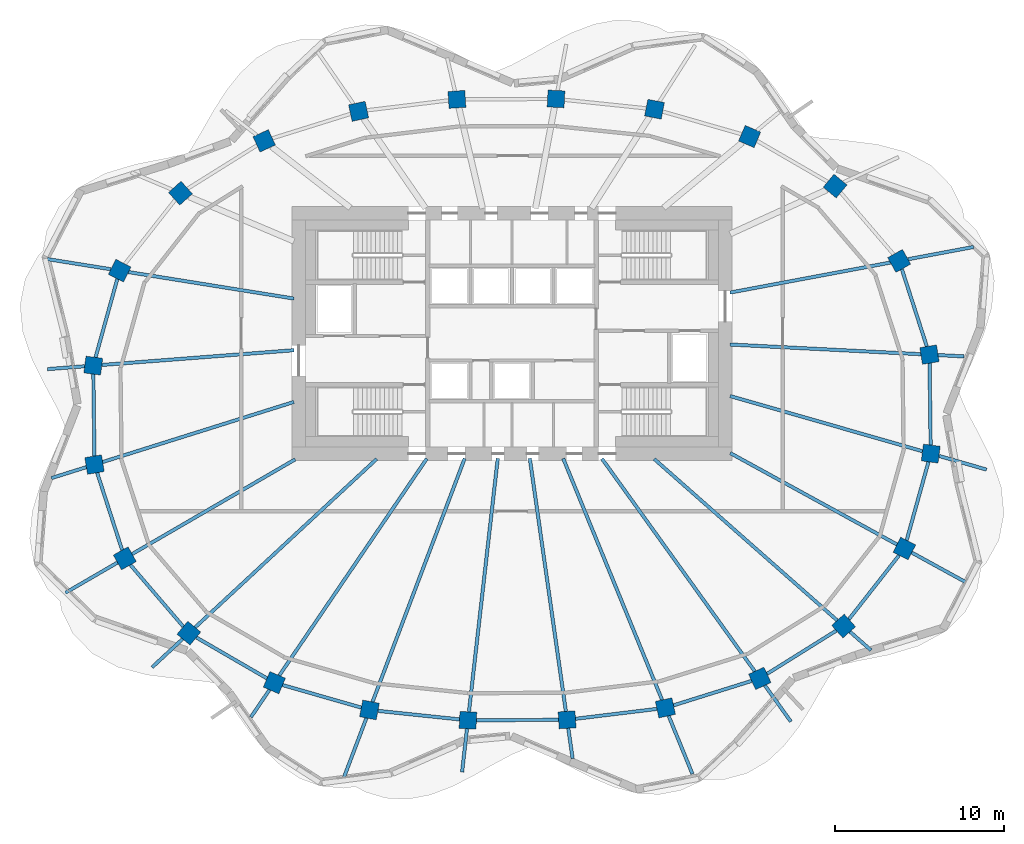
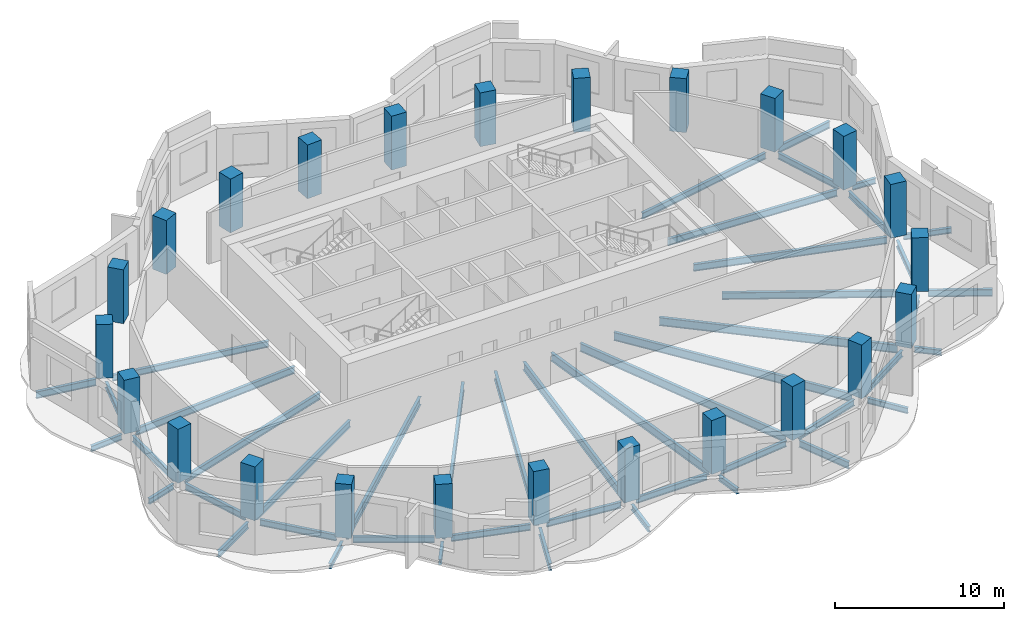
# One storey, part 1 of 8: 47 beams, 24 columns.
"""IFC4 building model written with IfcOpenShell, lengths in metres."""

from ifc_helpers import new_model, si_unit, direction, frame, origin, origin_2d, place, context, subcontext, project, spatial, rectangle, i_section, extrude, material, material_profile, profile_set, type_object, element, save


model = new_model("IFC4")

# Units and contexts
model_context = context("Model", 3, precision=1e-05, world=origin(), true_north=direction((0.0, 1.0)))
body_context = subcontext(model_context, "Body", "Model", "MODEL_VIEW")
ifc_project = project(units=[si_unit("LENGTHUNIT", "METRE"), si_unit("AREAUNIT", "SQUARE_METRE"), si_unit("VOLUMEUNIT", "CUBIC_METRE"), si_unit("PLANEANGLEUNIT", "RADIAN"), si_unit("MASSUNIT", "GRAM", prefix="KILO")], contexts=[model_context])

# Site, building, storey
site_placement = place(None, origin())
site = spatial("IfcSite", under=ifc_project, at=site_placement, CompositionType="ELEMENT")
building_placement = place(site_placement, origin())
building = spatial("IfcBuilding", under=site, at=building_placement, Name="Rubra Terraces Tower", CompositionType="ELEMENT")
storey_placement = place(building_placement, frame((0.0, 0.0, 240.89990234375)))
storey = spatial("IfcBuildingStorey", under=building, at=storey_placement, Name="L59", CompositionType="ELEMENT", Elevation=240.89990234375)

# Columns
ifc_material_1 = material(Name="Concrete C50", Category="concrete")
ifc_material_profile_1 = material_profile(ifc_material_1, rectangle(XDim=1.0, YDim=1.0, at=origin_2d()), Name="RC 1000x1000")
ifc_profile_set_1 = profile_set([ifc_material_profile_1], Name="Concrete C50")
column_type = type_object("IfcColumnType", Name="RING COLUMN RC 1000x1000 C50", PredefinedType="COLUMN", material=ifc_profile_set_1)
for number, where, z_axis, x_axis, name in (
    (1, (24.6689453125, 3.248046875, 0.0), (0.0, 0.0, 1.0), (-0.161559167715, 0.986863027642, 0.0), "column-L59-ring-01"),
    (2, (22.87890625, 8.787109375, 0.0), (0.0, 0.0, 1.0), (-0.48852601316, 0.872549330678, 0.0), "column-L59-ring-02"),
    (3, (19.092041015625, 13.208984375, 0.0), (0.0, 0.0, 1.0), (-0.76886986222, 0.63940529789, 0.0), "column-L59-ring-03"),
    (4, (14.0419921875, 16.135986328125, 0.0), (0.0, 0.0, 1.0), (-0.920167856842, 0.391524092789, 0.0), "column-L59-ring-04"),
    (5, (8.422119140625, 17.7490234375, 0.0), (0.0, 0.0, 1.0), (-0.981654668733, 0.19066754143, 0.0), "column-L59-ring-05"),
    (6, (2.60205078125, 18.35791015625, 0.0), (0.0, 0.0, 1.0), (-0.998764256028, 0.049698700995, 0.0), "column-L59-ring-06"),
    (7, (-3.25390625, 18.330078125, 0.0), (0.0, 0.0, 1.0), (-0.998031548759, -0.062713855578, 0.0), "column-L59-ring-07"),
    (8, (-9.06298828125, 17.625, 0.0), (0.0, 0.0, 1.0), (-0.977652674797, -0.210226657352, 0.0), "column-L59-ring-08"),
    (9, (-14.64306640625, 15.881103515625, 0.0), (0.0, 0.0, 1.0), (-0.908778580451, -0.417278673927, 0.0), "column-L59-ring-09"),
    (10, (-19.593017578125, 12.7900390625, 0.0), (0.0, 0.0, 1.0), (-0.744021317198, -0.668155879683, 0.0), "column-L59-ring-10"),
    (11, (-23.18505859375, 8.2099609375, 0.0), (0.0, 0.0, 1.0), (-0.451027931402, -0.892509834733, 0.0), "column-L59-ring-11"),
    (12, (-24.742919921875, 2.59912109375, 0.0), (0.0, 0.0, 1.0), (-0.128443684554, -0.991716804283, 0.0), "column-L59-ring-12"),
    (13, (-24.6689453125, -3.248046875, 0.0), (0.0, 0.0, 1.0), (0.161559167715, -0.986863027642, 0.0), "column-L59-ring-13"),
    (14, (-22.87890625, -8.787109375, 0.0), (0.0, 0.0, 1.0), (0.48852601316, -0.872549330678, 0.0), "column-L59-ring-14"),
    (15, (-19.092041015625, -13.208984375, 0.0), (0.0, 0.0, 1.0), (0.76886986222, -0.63940529789, 0.0), "column-L59-ring-15"),
    (16, (-14.0419921875, -16.135986328125, 0.0), (0.0, 0.0, 1.0), (0.920167856842, -0.391524092789, 0.0), "column-L59-ring-16"),
    (17, (-8.422119140625, -17.7490234375, 0.0), (0.0, 0.0, 1.0), (0.981654668733, -0.19066754143, 0.0), "column-L59-ring-17"),
    (18, (-2.60205078125, -18.35791015625, 0.0), (0.0, 0.0, 1.0), (0.998764256028, -0.049698700995, 0.0), "column-L59-ring-18"),
    (19, (3.25390625, -18.330078125, 0.0), (0.0, 0.0, 1.0), (0.998031548759, 0.062713855578, 0.0), "column-L59-ring-19"),
    (20, (9.06298828125, -17.625, 0.0), (0.0, 0.0, 1.0), (0.977652674797, 0.210226657352, 0.0), "column-L59-ring-20"),
    (21, (14.64306640625, -15.881103515625, 0.0), (0.0, 0.0, 1.0), (0.908778580451, 0.417278673927, 0.0), "column-L59-ring-21"),
    (22, (19.593017578125, -12.7900390625, 0.0), (0.0, 0.0, 1.0), (0.744021317198, 0.668155879683, 0.0), "column-L59-ring-22"),
    (23, (23.18505859375, -8.2099609375, 0.0), (0.0, 0.0, 1.0), (0.451027931402, 0.892509834733, 0.0), "column-L59-ring-23"),
    (24, (24.742919921875, -2.59912109375, 0.0), (0.0, 0.0, 1.0), (0.128443684554, 0.991716804283, 0.0), "column-L59-ring-24"),
):
    element("IfcColumn", number, at=place(storey_placement, frame(where, z_axis=z_axis, x_axis=x_axis)), inside=storey, type_object=column_type, Name=name, PredefinedType="COLUMN", context=body_context, shape_type="SweptSolid", body=[
        extrude(rectangle(XDim=1.0, YDim=1.0, at=origin_2d()), origin(), (0.0, 0.0, 1.0), 3.900146484375),
    ])

# Beams
ifc_material_2 = material(Name="Steel Q355B", Category="steel")
ifc_material_profile_2 = material_profile(ifc_material_2, i_section(OverallWidth=0.199951171875, OverallDepth=0.39990234375, WebThickness=0.008056640625, FlangeThickness=0.012939453125, at=origin_2d()), Name="HN 400x200x8x13")
ifc_profile_set_2 = profile_set([ifc_material_profile_2], Name="Steel Q355B")
beam_type_1 = type_object("IfcBeamType", Name="CANTILEVER BEAM HN 400x200x8x13", PredefinedType="BEAM", material=ifc_profile_set_2)
beam_1_placement = place(storey_placement, frame((25.179931640625, 3.221923828125, -0.39990234375), z_axis=(0.998705379321, -0.050868116877, 0.0), x_axis=(0.050868116877, 0.998705379321, 0.0)))
element("IfcBeam", 25, at=beam_1_placement, inside=storey, type_object=beam_type_1, Name="beam-L59-cant-01", PredefinedType="BEAM", context=body_context, shape_type="SweptSolid", body=[
    extrude(i_section(OverallWidth=0.199951171875, OverallDepth=0.39990234375, WebThickness=0.008056640625, FlangeThickness=0.012939453125, at=origin_2d()), origin(), (0.0, 0.0, 1.0), 1.531005859375),
])
beam_2_placement = place(storey_placement, frame((-25.251953125, 2.56005859375, -0.39990234375), z_axis=(-0.997072655985, -0.076459915552, 0.0), x_axis=(0.076459915552, -0.997072655985, 0.0)))
element("IfcBeam", 26, at=beam_2_placement, inside=storey, type_object=beam_type_1, Name="beam-L59-cant-12", PredefinedType="BEAM", context=body_context, shape_type="SweptSolid", body=[
    extrude(i_section(OverallWidth=0.199951171875, OverallDepth=0.39990234375, WebThickness=0.008056640625, FlangeThickness=0.012939453125, at=origin_2d()), origin(), (0.0, 0.0, 1.0), 2.20947265625),
])
beam_3_placement = place(storey_placement, frame((-25.15087890625, -3.39892578125, -0.39990234375), z_axis=(-0.953976176962, -0.299882399933, 0.0), x_axis=(0.299882399933, -0.953976176962, 0.0)))
element("IfcBeam", 27, at=beam_3_placement, inside=storey, type_object=beam_type_1, Name="beam-L59-cant-13", PredefinedType="BEAM", context=body_context, shape_type="SweptSolid", body=[
    extrude(i_section(OverallWidth=0.199951171875, OverallDepth=0.39990234375, WebThickness=0.008056640625, FlangeThickness=0.012939453125, at=origin_2d()), origin(), (0.0, 0.0, 1.0), 2.161376953125),
])
beam_4_placement = place(storey_placement, frame((-19.4619140625, -13.552001953125, -0.39990234375), z_axis=(-0.733131141313, -0.6800872956, 0.0), x_axis=(0.6800872956, -0.733131141313, 0.0)))
element("IfcBeam", 28, at=beam_4_placement, inside=storey, type_object=beam_type_1, Name="beam-L59-cant-15", PredefinedType="BEAM", context=body_context, shape_type="SweptSolid", body=[
    extrude(i_section(OverallWidth=0.199951171875, OverallDepth=0.39990234375, WebThickness=0.008056640625, FlangeThickness=0.012939453125, at=origin_2d()), origin(), (0.0, 0.0, 1.0), 2.4716796875),
])
beam_5_placement = place(storey_placement, frame((-14.3291015625, -16.556884765625, -0.39990234375), z_axis=(-0.562330561229, -0.826912534618, 0.0), x_axis=(0.826912534618, -0.562330561229, 0.0)))
element("IfcBeam", 29, at=beam_5_placement, inside=storey, type_object=beam_type_1, Name="beam-L59-cant-16", PredefinedType="BEAM", context=body_context, shape_type="SweptSolid", body=[
    extrude(i_section(OverallWidth=0.199951171875, OverallDepth=0.39990234375, WebThickness=0.008056640625, FlangeThickness=0.012939453125, at=origin_2d()), origin(), (0.0, 0.0, 1.0), 1.95068359375),
])
beam_6_placement = place(storey_placement, frame((-2.658935546875, -18.85595703125, -0.39990234375), z_axis=(-0.11286294962, -0.993610564861, 0.0), x_axis=(0.993610564861, -0.11286294962, 0.0)))
element("IfcBeam", 30, at=beam_6_placement, inside=storey, type_object=beam_type_1, Name="beam-L59-cant-18", PredefinedType="BEAM", context=body_context, shape_type="SweptSolid", body=[
    extrude(i_section(OverallWidth=0.199951171875, OverallDepth=0.39990234375, WebThickness=0.008056640625, FlangeThickness=0.012939453125, at=origin_2d()), origin(), (0.0, 0.0, 1.0), 2.578369140625),
])
beam_7_placement = place(storey_placement, frame((3.324951171875, -18.826904296875, -0.39990234375), z_axis=(0.141308200987, -0.989965652098, 0.0), x_axis=(0.989965652098, 0.141308200987, 0.0)))
element("IfcBeam", 31, at=beam_7_placement, inside=storey, type_object=beam_type_1, Name="beam-L59-cant-19", PredefinedType="BEAM", context=body_context, shape_type="SweptSolid", body=[
    extrude(i_section(OverallWidth=0.199951171875, OverallDepth=0.39990234375, WebThickness=0.008056640625, FlangeThickness=0.012939453125, at=origin_2d()), origin(), (0.0, 0.0, 1.0), 1.812255859375),
])
beam_8_placement = place(storey_placement, frame((14.93994140625, -16.294921875, -0.39990234375), z_axis=(0.583708638616, -0.811963192026, 0.0), x_axis=(0.811963192026, 0.583708638616, 0.0)))
element("IfcBeam", 32, at=beam_8_placement, inside=storey, type_object=beam_type_1, Name="beam-L59-cant-21", PredefinedType="BEAM", context=body_context, shape_type="SweptSolid", body=[
    extrude(i_section(OverallWidth=0.199951171875, OverallDepth=0.39990234375, WebThickness=0.008056640625, FlangeThickness=0.012939453125, at=origin_2d()), origin(), (0.0, 0.0, 1.0), 2.63330078125),
])
beam_9_placement = place(storey_placement, frame((19.969970703125, -13.123046875, -0.39990234375), z_axis=(0.749803442834, -0.661660635911, 0.0), x_axis=(0.661660635911, 0.749803442834, 0.0)))
element("IfcBeam", 33, at=beam_9_placement, inside=storey, type_object=beam_type_1, Name="beam-L59-cant-22", PredefinedType="BEAM", context=body_context, shape_type="SweptSolid", body=[
    extrude(i_section(OverallWidth=0.199951171875, OverallDepth=0.39990234375, WebThickness=0.008056640625, FlangeThickness=0.012939453125, at=origin_2d()), origin(), (0.0, 0.0, 1.0), 1.65625),
])
beam_10_placement = place(storey_placement, frame((25.22900390625, -2.738037109375, -0.39990234375), z_axis=(0.961186154609, -0.275900663625, 0.0), x_axis=(0.275900663625, 0.961186154609, 0.0)))
element("IfcBeam", 34, at=beam_10_placement, inside=storey, type_object=beam_type_1, Name="beam-L59-cant-24", PredefinedType="BEAM", context=body_context, shape_type="SweptSolid", body=[
    extrude(i_section(OverallWidth=0.199951171875, OverallDepth=0.39990234375, WebThickness=0.008056640625, FlangeThickness=0.012939453125, at=origin_2d()), origin(), (0.0, 0.0, 1.0), 2.924560546875),
])
ifc_material_profile_3 = material_profile(ifc_material_2, i_section(OverallWidth=0.198974609375, OverallDepth=0.446044921875, WebThickness=0.008056640625, FlangeThickness=0.011962890625, at=origin_2d()), Name="HN 446x199x8x12")
ifc_profile_set_3 = profile_set([ifc_material_profile_3], Name="Steel Q355B")
beam_type_2 = type_object("IfcBeamType", Name="CANTILEVER BEAM HN 446x199x8x12", PredefinedType="BEAM", material=ifc_profile_set_3)
beam_11_placement = place(storey_placement, frame((-23.31103515625, -9.0380859375, -0.4228515625), z_axis=(-0.864736046466, -0.50222661214, 0.0), x_axis=(0.50222661214, -0.864736046466, 0.0)))
element("IfcBeam", 35, at=beam_11_placement, inside=storey, type_object=beam_type_2, Name="beam-L59-cant-14", PredefinedType="BEAM", context=body_context, shape_type="SweptSolid", body=[
    extrude(i_section(OverallWidth=0.198974609375, OverallDepth=0.446044921875, WebThickness=0.008056640625, FlangeThickness=0.011962890625, at=origin_2d()), origin(), (0.0, 0.0, 1.0), 3.555908203125),
])
ifc_material_profile_4 = material_profile(ifc_material_2, i_section(OverallWidth=0.198974609375, OverallDepth=0.49609375, WebThickness=0.009033203125, FlangeThickness=0.013916015625, at=origin_2d()), Name="HN 496x199x9x14")
ifc_profile_set_4 = profile_set([ifc_material_profile_4], Name="Steel Q355B")
beam_type_3 = type_object("IfcBeamType", Name="CANTILEVER BEAM HN 496x199x9x14", PredefinedType="BEAM", material=ifc_profile_set_4)
beam_12_placement = place(storey_placement, frame((23.39794921875, 8.884033203125, -0.447998046875), z_axis=(0.982865888577, 0.18432212312, 0.0), x_axis=(-0.18432212312, 0.982865888577, 0.0)))
element("IfcBeam", 36, at=beam_12_placement, inside=storey, type_object=beam_type_3, Name="beam-L59-cant-02", PredefinedType="BEAM", context=body_context, shape_type="SweptSolid", body=[
    extrude(i_section(OverallWidth=0.198974609375, OverallDepth=0.49609375, WebThickness=0.009033203125, FlangeThickness=0.013916015625, at=origin_2d()), origin(), (0.0, 0.0, 1.0), 3.94970703125),
])
beam_13_placement = place(storey_placement, frame((-23.702880859375, 8.29296875, -0.447998046875), z_axis=(-0.98745581053, 0.157895605548, 0.0), x_axis=(-0.157895605548, -0.98745581053, 0.0)))
element("IfcBeam", 37, at=beam_13_placement, inside=storey, type_object=beam_type_3, Name="beam-L59-cant-11", PredefinedType="BEAM", context=body_context, shape_type="SweptSolid", body=[
    extrude(i_section(OverallWidth=0.198974609375, OverallDepth=0.49609375, WebThickness=0.009033203125, FlangeThickness=0.013916015625, at=origin_2d()), origin(), (0.0, 0.0, 1.0), 3.81298828125),
])
beam_14_placement = place(storey_placement, frame((-8.60205078125, -18.222900390625, -0.447998046875), z_axis=(-0.353975284334, -0.935254777096, 0.0), x_axis=(0.935254777096, -0.353975284334, 0.0)))
element("IfcBeam", 38, at=beam_14_placement, inside=storey, type_object=beam_type_3, Name="beam-L59-cant-17", PredefinedType="BEAM", context=body_context, shape_type="SweptSolid", body=[
    extrude(i_section(OverallWidth=0.198974609375, OverallDepth=0.49609375, WebThickness=0.009033203125, FlangeThickness=0.013916015625, at=origin_2d()), origin(), (0.0, 0.0, 1.0), 3.816162109375),
])
beam_15_placement = place(storey_placement, frame((9.256103515625, -18.094970703125, -0.447998046875), z_axis=(0.378876573118, -0.925447212078, 0.0), x_axis=(0.925447212078, 0.378876573118, 0.0)))
element("IfcBeam", 39, at=beam_15_placement, inside=storey, type_object=beam_type_3, Name="beam-L59-cant-20", PredefinedType="BEAM", context=body_context, shape_type="SweptSolid", body=[
    extrude(i_section(OverallWidth=0.198974609375, OverallDepth=0.49609375, WebThickness=0.009033203125, FlangeThickness=0.013916015625, at=origin_2d()), origin(), (0.0, 0.0, 1.0), 3.705078125),
])
beam_16_placement = place(storey_placement, frame((23.6240234375, -8.449951171875, -0.447998046875), z_axis=(0.876754126766, -0.480938874701, 0.0), x_axis=(0.480938874701, 0.876754126766, 0.0)))
element("IfcBeam", 40, at=beam_16_placement, inside=storey, type_object=beam_type_3, Name="beam-L59-cant-23", PredefinedType="BEAM", context=body_context, shape_type="SweptSolid", body=[
    extrude(i_section(OverallWidth=0.198974609375, OverallDepth=0.49609375, WebThickness=0.009033203125, FlangeThickness=0.013916015625, at=origin_2d()), origin(), (0.0, 0.0, 1.0), 3.8173828125),
])
ifc_material_profile_5 = material_profile(ifc_material_2, i_section(OverallWidth=0.198974609375, OverallDepth=0.446044921875, WebThickness=0.008056640625, FlangeThickness=0.011962890625, at=origin_2d()), Name="HN 446x199x8x12")
ifc_profile_set_5 = profile_set([ifc_material_profile_5], Name="Steel Q355B")
beam_type_4 = type_object("IfcBeamType", Name="FLOOR BEAM HN 446x199x8x12", PredefinedType="BEAM", material=ifc_profile_set_5)
beam_17_placement = place(storey_placement, frame((22.360107421875, 8.68994140625, -0.4228515625), z_axis=(-0.982895681695, -0.18416318553, 0.0), x_axis=(0.18416318553, -0.982895681695, 0.0)))
element("IfcBeam", 41, at=beam_17_placement, inside=storey, type_object=beam_type_4, Name="beam-L59-floor-02", PredefinedType="BEAM", context=body_context, shape_type="SweptSolid", body=[
    extrude(i_section(OverallWidth=0.198974609375, OverallDepth=0.446044921875, WebThickness=0.008056640625, FlangeThickness=0.011962890625, at=origin_2d()), origin(), (0.0, 0.0, 1.0), 9.64306640625),
])
beam_18_placement = place(storey_placement, frame((-22.6669921875, 8.126953125, -0.4228515625), z_axis=(0.987435404133, -0.158023171289, 0.0), x_axis=(0.158023171289, 0.987435404133, 0.0)))
element("IfcBeam", 42, at=beam_18_placement, inside=storey, type_object=beam_type_4, Name="beam-L59-floor-11", PredefinedType="BEAM", context=body_context, shape_type="SweptSolid", body=[
    extrude(i_section(OverallWidth=0.198974609375, OverallDepth=0.446044921875, WebThickness=0.008056640625, FlangeThickness=0.011962890625, at=origin_2d()), origin(), (0.0, 0.0, 1.0), 9.909423828125),
])
ifc_material_profile_6 = material_profile(ifc_material_2, i_section(OverallWidth=0.198974609375, OverallDepth=0.49609375, WebThickness=0.009033203125, FlangeThickness=0.013916015625, at=origin_2d()), Name="HN 496x199x9x14")
ifc_profile_set_6 = profile_set([ifc_material_profile_6], Name="Steel Q355B")
beam_type_5 = type_object("IfcBeamType", Name="FLOOR BEAM HN 496x199x9x14", PredefinedType="BEAM", material=ifc_profile_set_6)
beam_19_placement = place(storey_placement, frame((24.157958984375, 3.27392578125, -0.447998046875), z_axis=(-0.998716228561, 0.050654662269, 0.0), x_axis=(-0.050654662269, -0.998716228561, 0.0)))
element("IfcBeam", 43, at=beam_19_placement, inside=storey, type_object=beam_type_5, Name="beam-L59-floor-01", PredefinedType="BEAM", context=body_context, shape_type="SweptSolid", body=[
    extrude(i_section(OverallWidth=0.198974609375, OverallDepth=0.49609375, WebThickness=0.009033203125, FlangeThickness=0.013916015625, at=origin_2d()), origin(), (0.0, 0.0, 1.0), 11.29248046875),
])
beam_20_placement = place(storey_placement, frame((-24.23388671875, 2.637939453125, -0.447998046875), z_axis=(0.997063306908, 0.076581734234, 0.0), x_axis=(-0.076581734234, 0.997063306908, 0.0)))
element("IfcBeam", 44, at=beam_20_placement, inside=storey, type_object=beam_type_5, Name="beam-L59-floor-12", PredefinedType="BEAM", context=body_context, shape_type="SweptSolid", body=[
    extrude(i_section(OverallWidth=0.198974609375, OverallDepth=0.49609375, WebThickness=0.009033203125, FlangeThickness=0.013916015625, at=origin_2d()), origin(), (0.0, 0.0, 1.0), 11.387451171875),
])
beam_21_placement = place(storey_placement, frame((-24.18701171875, -3.096923828125, -0.447998046875), z_axis=(0.954040699023, 0.299677067204, 0.0), x_axis=(-0.299677067204, 0.954040699023, 0.0)))
element("IfcBeam", 45, at=beam_21_placement, inside=storey, type_object=beam_type_5, Name="beam-L59-floor-13", PredefinedType="BEAM", context=body_context, shape_type="SweptSolid", body=[
    extrude(i_section(OverallWidth=0.198974609375, OverallDepth=0.49609375, WebThickness=0.009033203125, FlangeThickness=0.013916015625, at=origin_2d()), origin(), (0.0, 0.0, 1.0), 11.845458984375),
])
beam_22_placement = place(storey_placement, frame((-22.447021484375, -8.535888671875, -0.447998046875), z_axis=(0.864755491844, 0.502193129508, 0.0), x_axis=(-0.502193129508, 0.864755491844, 0.0)))
element("IfcBeam", 46, at=beam_22_placement, inside=storey, type_object=beam_type_5, Name="beam-L59-floor-14", PredefinedType="BEAM", context=body_context, shape_type="SweptSolid", body=[
    extrude(i_section(OverallWidth=0.198974609375, OverallDepth=0.49609375, WebThickness=0.009033203125, FlangeThickness=0.013916015625, at=origin_2d()), origin(), (0.0, 0.0, 1.0), 11.14306640625),
])
beam_23_placement = place(storey_placement, frame((22.74609375, -7.969970703125, -0.447998046875), z_axis=(-0.876862055903, 0.480742066932, 0.0), x_axis=(-0.480742066932, -0.876862055903, 0.0)))
element("IfcBeam", 47, at=beam_23_placement, inside=storey, type_object=beam_type_5, Name="beam-L59-floor-23", PredefinedType="BEAM", context=body_context, shape_type="SweptSolid", body=[
    extrude(i_section(OverallWidth=0.198974609375, OverallDepth=0.49609375, WebThickness=0.009033203125, FlangeThickness=0.013916015625, at=origin_2d()), origin(), (0.0, 0.0, 1.0), 11.234375),
])
beam_24_placement = place(storey_placement, frame((24.257080078125, -2.4599609375, -0.447998046875), z_axis=(-0.961215754667, 0.275797521707, 0.0), x_axis=(-0.275797521707, -0.961215754667, 0.0)))
element("IfcBeam", 48, at=beam_24_placement, inside=storey, type_object=beam_type_5, Name="beam-L59-floor-24", PredefinedType="BEAM", context=body_context, shape_type="SweptSolid", body=[
    extrude(i_section(OverallWidth=0.198974609375, OverallDepth=0.49609375, WebThickness=0.009033203125, FlangeThickness=0.013916015625, at=origin_2d()), origin(), (0.0, 0.0, 1.0), 11.830810546875),
])
ifc_material_profile_7 = material_profile(ifc_material_2, i_section(OverallWidth=0.198974609375, OverallDepth=0.595947265625, WebThickness=0.010009765625, FlangeThickness=0.014892578125, at=origin_2d()), Name="HN 596x199x10x15")
ifc_profile_set_7 = profile_set([ifc_material_profile_7], Name="Steel Q355B")
beam_type_6 = type_object("IfcBeamType", Name="FLOOR BEAM HN 596x199x10x15", PredefinedType="BEAM", material=ifc_profile_set_7)
beam_25_placement = place(storey_placement, frame((-18.721923828125, -12.865966796875, -0.497802734375), z_axis=(0.733130458484, 0.680088031687, 0.0), x_axis=(-0.680088031687, 0.733130458484, 0.0)))
element("IfcBeam", 49, at=beam_25_placement, inside=storey, type_object=beam_type_6, Name="beam-L59-floor-15", PredefinedType="BEAM", context=body_context, shape_type="SweptSolid", body=[
    extrude(i_section(OverallWidth=0.198974609375, OverallDepth=0.595947265625, WebThickness=0.010009765625, FlangeThickness=0.014892578125, at=origin_2d()), origin(), (0.0, 0.0, 1.0), 14.62744140625),
])
beam_26_placement = place(storey_placement, frame((-13.7548828125, -15.715087890625, -0.497802734375), z_axis=(0.562545242124, 0.826766503049, 0.0), x_axis=(-0.826766503049, 0.562545242124, 0.0)))
element("IfcBeam", 50, at=beam_26_placement, inside=storey, type_object=beam_type_6, Name="beam-L59-floor-16", PredefinedType="BEAM", context=body_context, shape_type="SweptSolid", body=[
    extrude(i_section(OverallWidth=0.198974609375, OverallDepth=0.595947265625, WebThickness=0.010009765625, FlangeThickness=0.014892578125, at=origin_2d()), origin(), (0.0, 0.0, 1.0), 15.499267578125),
])
beam_27_placement = place(storey_placement, frame((-8.241943359375, -17.27490234375, -0.497802734375), z_axis=(0.353955134415, 0.93526240319, 0.0), x_axis=(-0.93526240319, 0.353955134415, 0.0)))
element("IfcBeam", 51, at=beam_27_placement, inside=storey, type_object=beam_type_6, Name="beam-L59-floor-17", PredefinedType="BEAM", context=body_context, shape_type="SweptSolid", body=[
    extrude(i_section(OverallWidth=0.198974609375, OverallDepth=0.595947265625, WebThickness=0.010009765625, FlangeThickness=0.014892578125, at=origin_2d()), origin(), (0.0, 0.0, 1.0), 15.3828125),
])
beam_28_placement = place(storey_placement, frame((-2.544921875, -17.860107421875, -0.497802734375), z_axis=(0.113084825914, 0.993585337124, 0.0), x_axis=(-0.993585337124, 0.113084825914, 0.0)))
element("IfcBeam", 52, at=beam_28_placement, inside=storey, type_object=beam_type_6, Name="beam-L59-floor-18", PredefinedType="BEAM", context=body_context, shape_type="SweptSolid", body=[
    extrude(i_section(OverallWidth=0.198974609375, OverallDepth=0.595947265625, WebThickness=0.010009765625, FlangeThickness=0.014892578125, at=origin_2d()), origin(), (0.0, 0.0, 1.0), 15.07568359375),
])
beam_29_placement = place(storey_placement, frame((3.18310546875, -17.8330078125, -0.497802734375), z_axis=(-0.141104514479, 0.989994705033, 0.0), x_axis=(-0.989994705033, -0.141104514479, 0.0)))
element("IfcBeam", 53, at=beam_29_placement, inside=storey, type_object=beam_type_6, Name="beam-L59-floor-19", PredefinedType="BEAM", context=body_context, shape_type="SweptSolid", body=[
    extrude(i_section(OverallWidth=0.198974609375, OverallDepth=0.595947265625, WebThickness=0.010009765625, FlangeThickness=0.014892578125, at=origin_2d()), origin(), (0.0, 0.0, 1.0), 15.10302734375),
])
beam_30_placement = place(storey_placement, frame((8.8701171875, -17.155029296875, -0.497802734375), z_axis=(-0.379015131933, 0.925390474214, 0.0), x_axis=(-0.925390474214, -0.379015131933, 0.0)))
element("IfcBeam", 54, at=beam_30_placement, inside=storey, type_object=beam_type_6, Name="beam-L59-floor-20", PredefinedType="BEAM", context=body_context, shape_type="SweptSolid", body=[
    extrude(i_section(OverallWidth=0.198974609375, OverallDepth=0.595947265625, WebThickness=0.010009765625, FlangeThickness=0.014892578125, at=origin_2d()), origin(), (0.0, 0.0, 1.0), 15.416259765625),
])
beam_31_placement = place(storey_placement, frame((14.345947265625, -15.467041015625, -0.497802734375), z_axis=(-0.583528740197, 0.812092488183, 0.0), x_axis=(-0.812092488183, -0.583528740197, 0.0)))
element("IfcBeam", 55, at=beam_31_placement, inside=storey, type_object=beam_type_6, Name="beam-L59-floor-21", PredefinedType="BEAM", context=body_context, shape_type="SweptSolid", body=[
    extrude(i_section(OverallWidth=0.198974609375, OverallDepth=0.595947265625, WebThickness=0.010009765625, FlangeThickness=0.014892578125, at=origin_2d()), origin(), (0.0, 0.0, 1.0), 15.47119140625),
])
beam_32_placement = place(storey_placement, frame((19.216064453125, -12.45703125, -0.497802734375), z_axis=(-0.749823025288, 0.661638444128, 0.0), x_axis=(-0.661638444128, -0.749823025288, 0.0)))
element("IfcBeam", 56, at=beam_32_placement, inside=storey, type_object=beam_type_6, Name="beam-L59-floor-22", PredefinedType="BEAM", context=body_context, shape_type="SweptSolid", body=[
    extrude(i_section(OverallWidth=0.198974609375, OverallDepth=0.595947265625, WebThickness=0.010009765625, FlangeThickness=0.014892578125, at=origin_2d()), origin(), (0.0, 0.0, 1.0), 14.412841796875),
])
ifc_material_profile_8 = material_profile(ifc_material_2, i_section(OverallWidth=0.198974609375, OverallDepth=0.446044921875, WebThickness=0.008056640625, FlangeThickness=0.011962890625, at=origin_2d()), Name="HN 446x199x8x12")
ifc_profile_set_8 = profile_set([ifc_material_profile_8], Name="Steel Q355B")
beam_type_7 = type_object("IfcBeamType", Name="SPANDREL BEAM HN 446x199x8x12", PredefinedType="SPANDREL", material=ifc_profile_set_8)
beam_33_placement = place(storey_placement, frame((24.512939453125, 3.72900390625, -0.4228515625), z_axis=(-0.307359002872, 0.951593633519, 0.0), x_axis=(-0.951593633519, -0.307359002872, 0.0)))
element("IfcBeam", 57, at=beam_33_placement, inside=storey, type_object=beam_type_7, Name="beam-L59-spandrel-01", PredefinedType="SPANDREL", context=body_context, shape_type="SweptSolid", body=[
    extrude(i_section(OverallWidth=0.198974609375, OverallDepth=0.446044921875, WebThickness=0.008056640625, FlangeThickness=0.011962890625, at=origin_2d()), origin(), (0.0, 0.0, 1.0), 4.8056640625),
])
beam_34_placement = place(storey_placement, frame((-23.321044921875, 7.718994140625, -0.4228515625), z_axis=(-0.267625533012, -0.963523001324, 0.0), x_axis=(0.963523001324, -0.267625533012, 0.0)))
element("IfcBeam", 58, at=beam_34_placement, inside=storey, type_object=beam_type_7, Name="beam-L59-spandrel-11", PredefinedType="SPANDREL", context=body_context, shape_type="SweptSolid", body=[
    extrude(i_section(OverallWidth=0.198974609375, OverallDepth=0.446044921875, WebThickness=0.008056640625, FlangeThickness=0.011962890625, at=origin_2d()), origin(), (0.0, 0.0, 1.0), 4.808349609375),
])
beam_35_placement = place(storey_placement, frame((-24.737060546875, 2.093994140625, -0.4228515625), z_axis=(0.012822047643, -0.999917794168, 0.0), x_axis=(0.999917794168, 0.012822047643, 0.0)))
element("IfcBeam", 59, at=beam_35_placement, inside=storey, type_object=beam_type_7, Name="beam-L59-spandrel-12", PredefinedType="SPANDREL", context=body_context, shape_type="SweptSolid", body=[
    extrude(i_section(OverallWidth=0.198974609375, OverallDepth=0.446044921875, WebThickness=0.008056640625, FlangeThickness=0.011962890625, at=origin_2d()), origin(), (0.0, 0.0, 1.0), 4.83642578125),
])
beam_36_placement = place(storey_placement, frame((-24.512939453125, -3.72900390625, -0.4228515625), z_axis=(0.307359002872, -0.951593633519, 0.0), x_axis=(0.951593633519, 0.307359002872, 0.0)))
element("IfcBeam", 60, at=beam_36_placement, inside=storey, type_object=beam_type_7, Name="beam-L59-spandrel-13", PredefinedType="SPANDREL", context=body_context, shape_type="SweptSolid", body=[
    extrude(i_section(OverallWidth=0.198974609375, OverallDepth=0.446044921875, WebThickness=0.008056640625, FlangeThickness=0.011962890625, at=origin_2d()), origin(), (0.0, 0.0, 1.0), 4.8056640625),
])
beam_37_placement = place(storey_placement, frame((-22.547119140625, -9.174072265625, -0.4228515625), z_axis=(0.650372836218, -0.759615148552, 0.0), x_axis=(0.759615148552, 0.650372836218, 0.0)))
element("IfcBeam", 61, at=beam_37_placement, inside=storey, type_object=beam_type_7, Name="beam-L59-spandrel-14", PredefinedType="SPANDREL", context=body_context, shape_type="SweptSolid", body=[
    extrude(i_section(OverallWidth=0.198974609375, OverallDepth=0.446044921875, WebThickness=0.008056640625, FlangeThickness=0.011962890625, at=origin_2d()), origin(), (0.0, 0.0, 1.0), 4.804931640625),
])
beam_38_placement = place(storey_placement, frame((-18.653076171875, -13.462890625, -0.4228515625), z_axis=(0.865153680787, -0.501506838059, 0.0), x_axis=(0.501506838059, 0.865153680787, 0.0)))
element("IfcBeam", 62, at=beam_38_placement, inside=storey, type_object=beam_type_7, Name="beam-L59-spandrel-15", PredefinedType="SPANDREL", context=body_context, shape_type="SweptSolid", body=[
    extrude(i_section(OverallWidth=0.198974609375, OverallDepth=0.446044921875, WebThickness=0.008056640625, FlangeThickness=0.011962890625, at=origin_2d()), origin(), (0.0, 0.0, 1.0), 4.82568359375),
])
beam_39_placement = place(storey_placement, frame((-13.55810546875, -16.27490234375, -0.4228515625), z_axis=(0.961171164323, -0.275952881621, 0.0), x_axis=(0.275952881621, 0.961171164323, 0.0)))
element("IfcBeam", 63, at=beam_39_placement, inside=storey, type_object=beam_type_7, Name="beam-L59-spandrel-16", PredefinedType="SPANDREL", context=body_context, shape_type="SweptSolid", body=[
    extrude(i_section(OverallWidth=0.198974609375, OverallDepth=0.446044921875, WebThickness=0.008056640625, FlangeThickness=0.011962890625, at=origin_2d()), origin(), (0.0, 0.0, 1.0), 4.842041015625),
])
beam_40_placement = place(storey_placement, frame((-7.923095703125, -17.801025390625, -0.4228515625), z_axis=(0.994565426955, -0.104113454971, 0.0), x_axis=(0.104113454971, 0.994565426955, 0.0)))
element("IfcBeam", 64, at=beam_40_placement, inside=storey, type_object=beam_type_7, Name="beam-L59-spandrel-17", PredefinedType="SPANDREL", context=body_context, shape_type="SweptSolid", body=[
    extrude(i_section(OverallWidth=0.198974609375, OverallDepth=0.446044921875, WebThickness=0.008056640625, FlangeThickness=0.011962890625, at=origin_2d()), origin(), (0.0, 0.0, 1.0), 4.849365234375),
])
beam_41_placement = place(storey_placement, frame((-2.10107421875, -18.35595703125, -0.4228515625), z_axis=(0.999987852299, 0.004929021704, 0.0), x_axis=(-0.004929021704, 0.999987852299, 0.0)))
element("IfcBeam", 65, at=beam_41_placement, inside=storey, type_object=beam_type_7, Name="beam-L59-spandrel-18", PredefinedType="SPANDREL", context=body_context, shape_type="SweptSolid", body=[
    extrude(i_section(OverallWidth=0.198974609375, OverallDepth=0.446044921875, WebThickness=0.008056640625, FlangeThickness=0.011962890625, at=origin_2d()), origin(), (0.0, 0.0, 1.0), 4.85400390625),
])
beam_42_placement = place(storey_placement, frame((3.7509765625, -18.27001953125, -0.4228515625), z_axis=(0.992698018573, 0.120626049929, 0.0), x_axis=(-0.120626049929, 0.992698018573, 0.0)))
element("IfcBeam", 66, at=beam_42_placement, inside=storey, type_object=beam_type_7, Name="beam-L59-spandrel-19", PredefinedType="SPANDREL", context=body_context, shape_type="SweptSolid", body=[
    extrude(i_section(OverallWidth=0.198974609375, OverallDepth=0.446044921875, WebThickness=0.008056640625, FlangeThickness=0.011962890625, at=origin_2d()), origin(), (0.0, 0.0, 1.0), 4.849365234375),
])
beam_43_placement = place(storey_placement, frame((9.5419921875, -17.47509765625, -0.4228515625), z_axis=(0.954462027342, 0.298332429282, 0.0), x_axis=(-0.298332429282, 0.954462027342, 0.0)))
element("IfcBeam", 67, at=beam_43_placement, inside=storey, type_object=beam_type_7, Name="beam-L59-spandrel-20", PredefinedType="SPANDREL", context=body_context, shape_type="SweptSolid", body=[
    extrude(i_section(OverallWidth=0.198974609375, OverallDepth=0.446044921875, WebThickness=0.008056640625, FlangeThickness=0.011962890625, at=origin_2d()), origin(), (0.0, 0.0, 1.0), 4.840576171875),
])
beam_44_placement = place(storey_placement, frame((15.071044921875, -15.614013671875, -0.4228515625), z_axis=(0.848183088492, 0.529703170083, 0.0), x_axis=(-0.529703170083, 0.848183088492, 0.0)))
element("IfcBeam", 68, at=beam_44_placement, inside=storey, type_object=beam_type_7, Name="beam-L59-spandrel-21", PredefinedType="SPANDREL", context=body_context, shape_type="SweptSolid", body=[
    extrude(i_section(OverallWidth=0.198974609375, OverallDepth=0.446044921875, WebThickness=0.008056640625, FlangeThickness=0.011962890625, at=origin_2d()), origin(), (0.0, 0.0, 1.0), 4.8232421875),
])
beam_45_placement = place(storey_placement, frame((19.906005859375, -12.39111328125, -0.4228515625), z_axis=(0.617060338015, 0.786915840004, 0.0), x_axis=(-0.786915840004, 0.617060338015, 0.0)))
element("IfcBeam", 69, at=beam_45_placement, inside=storey, type_object=beam_type_7, Name="beam-L59-spandrel-22", PredefinedType="SPANDREL", context=body_context, shape_type="SweptSolid", body=[
    extrude(i_section(OverallWidth=0.198974609375, OverallDepth=0.446044921875, WebThickness=0.008056640625, FlangeThickness=0.011962890625, at=origin_2d()), origin(), (0.0, 0.0, 1.0), 4.8037109375),
])
beam_46_placement = place(storey_placement, frame((23.321044921875, -7.718994140625, -0.4228515625), z_axis=(0.267625533012, 0.963523001324, 0.0), x_axis=(-0.963523001324, 0.267625533012, 0.0)))
element("IfcBeam", 70, at=beam_46_placement, inside=storey, type_object=beam_type_7, Name="beam-L59-spandrel-23", PredefinedType="SPANDREL", context=body_context, shape_type="SweptSolid", body=[
    extrude(i_section(OverallWidth=0.198974609375, OverallDepth=0.446044921875, WebThickness=0.008056640625, FlangeThickness=0.011962890625, at=origin_2d()), origin(), (0.0, 0.0, 1.0), 4.808349609375),
])
beam_47_placement = place(storey_placement, frame((24.737060546875, -2.093994140625, -0.4228515625), z_axis=(-0.012822047643, 0.999917794168, 0.0), x_axis=(-0.999917794168, -0.012822047643, 0.0)))
element("IfcBeam", 71, at=beam_47_placement, inside=storey, type_object=beam_type_7, Name="beam-L59-spandrel-24", PredefinedType="SPANDREL", context=body_context, shape_type="SweptSolid", body=[
    extrude(i_section(OverallWidth=0.198974609375, OverallDepth=0.446044921875, WebThickness=0.008056640625, FlangeThickness=0.011962890625, at=origin_2d()), origin(), (0.0, 0.0, 1.0), 4.83642578125),
])

save(model, "model.ifc")
